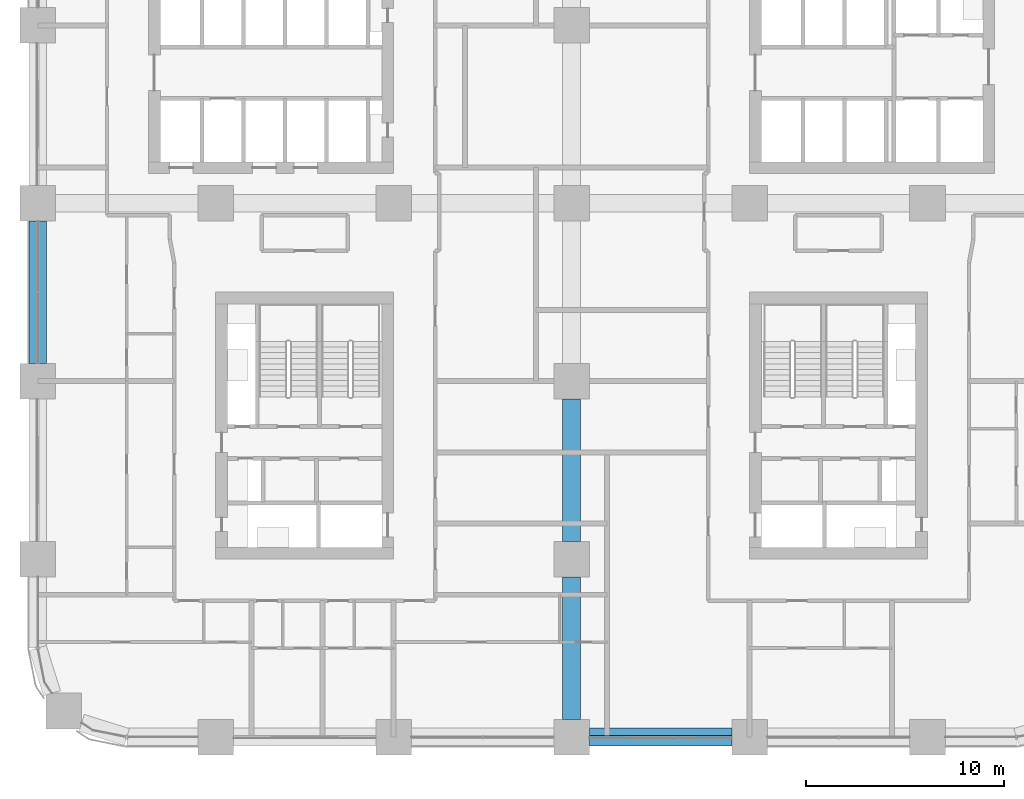
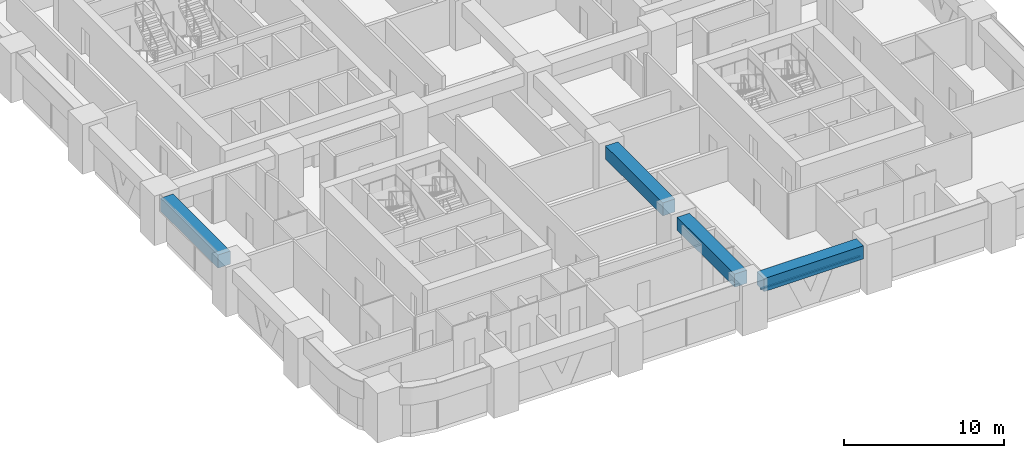
# One storey, part 3 of 21: 4 beams, 1 member, 1 element without a shape of its own.
"""IFC4 building model written with IfcOpenShell, lengths in metres."""

import ifcopenshell
import ifcopenshell.guid

model = None  # the IFC model being written
_history = None  # IfcOwnerHistory: only IFC2X3 demands one
_inside = {}  # id of a spatial element -> (the spatial element, [elements in it])
_under = {}  # id of a project, library or spatial element -> (it, [spatial elements below it])
_declared = {}  # id of a project -> (the project, [libraries it declares])
_typed = {}  # id of a type object -> (the type object, [elements of that type])
_made_of = {}  # id of a material, layer set ... -> (it, [elements and type objects made of it])


def new_model(schema):
    """Start an empty IFC model of exactly this schema.

    Asked for "IFC4X3", IfcOpenShell would pick the latest addendum, in which some entities
    have other attributes; the version numbers below select the first issue.
    IFC2X3 requires an IfcOwnerHistory on every rooted entity: one is made here for all.
    """
    global model, _history
    if schema == "IFC4X3":
        model = ifcopenshell.file(schema_version=(4, 3, 0, 0))
    else:
        model = ifcopenshell.file(schema=schema)
    _inside.clear()
    _under.clear()
    _declared.clear()
    _typed.clear()
    _made_of.clear()
    _history = None
    if model.schema == "IFC2X3":
        org = make("IfcOrganization", Name="unknown")
        user = make(
            "IfcPersonAndOrganization",
            ThePerson=make("IfcPerson", FamilyName="unknown"),
            TheOrganization=org,
        )
        app = make(
            "IfcApplication",
            ApplicationDeveloper=org,
            Version="unknown",
            ApplicationFullName="unknown",
            ApplicationIdentifier="unknown",
        )
        _history = make(
            "IfcOwnerHistory",
            OwningUser=user,
            OwningApplication=app,
            ChangeAction="ADDED",
            CreationDate=0,
        )
    return model


def make(cls, **values):
    """One entity of the class cls with the attributes given. An attribute that is None is left unset."""
    return model.create_entity(
        cls, **{name: value for name, value in values.items() if value is not None}
    )


def rooted(cls, **values):
    """An entity with a GlobalId (a new one), such as an element, a storey or a relation."""
    return make(cls, GlobalId=ifcopenshell.guid.new(), OwnerHistory=_history, **values)


def si_unit(unit_type, name, prefix=None):
    """IfcSIUnit, for example si_unit("LENGTHUNIT", "METRE", prefix="MILLI")."""
    return make("IfcSIUnit", UnitType=unit_type, Prefix=prefix, Name=name)


def assignment(units):
    """IfcUnitAssignment: the units of a project."""
    return None if units is None else make("IfcUnitAssignment", Units=units)


def point(xyz):
    """IfcCartesianPoint."""
    return None if xyz is None else make("IfcCartesianPoint", Coordinates=xyz)


def direction(xyz):
    """IfcDirection."""
    return None if xyz is None else make("IfcDirection", DirectionRatios=xyz)


def frame(location, z_axis=None, x_axis=None):
    """IfcAxis2Placement3D, a coordinate frame: its origin and axes. An axis left out is left unset."""
    return make(
        "IfcAxis2Placement3D",
        Location=point(location),
        Axis=direction(z_axis),
        RefDirection=direction(x_axis),
    )


def frame_2d(location, x_axis=None):
    """IfcAxis2Placement2D, a coordinate frame in the plane: its origin and x axis."""
    return make(
        "IfcAxis2Placement2D", Location=point(location), RefDirection=direction(x_axis)
    )


def origin():
    """The frame at (0, 0, 0) with its axes left unset."""
    return frame((0.0, 0.0, 0.0))


def origin_2d():
    """The frame at (0, 0) in the plane with its x axis left unset."""
    return frame_2d((0.0, 0.0))


def place(relative_to, where):
    """IfcLocalPlacement: puts the frame where relative to a parent placement (None: the world)."""
    return make(
        "IfcLocalPlacement", PlacementRelTo=relative_to, RelativePlacement=where
    )


def context(
    kind, dimensions, precision=None, world=None, true_north=None, identifier=None
):
    """IfcGeometricRepresentationContext, for example the 3D "Model" context."""
    return make(
        "IfcGeometricRepresentationContext",
        ContextIdentifier=identifier,
        ContextType=kind,
        CoordinateSpaceDimension=dimensions,
        Precision=precision,
        WorldCoordinateSystem=world,
        TrueNorth=true_north,
    )


def subcontext(parent, identifier, kind, view, scale=None):
    """IfcGeometricRepresentationSubContext, for example "Body" below "Model"."""
    return make(
        "IfcGeometricRepresentationSubContext",
        ContextIdentifier=identifier,
        ContextType=kind,
        ParentContext=parent,
        TargetScale=scale,
        TargetView=view,
    )


def project(units=None, contexts=None):
    """IfcProject with its units and contexts."""
    return rooted(
        "IfcProject",
        Name="project",
        RepresentationContexts=contexts,
        UnitsInContext=assignment(units),
    )


def spatial(cls, under=None, at=None, **own):
    """A site, building, storey or space (cls), placed at a placement, below another one or the project."""
    s = rooted(cls, ObjectPlacement=at, **own)
    if under is not None:
        _under.setdefault(under.id(), (under, []))[1].append(s)
    return s


def profile(cls, at=None, kind="AREA", **sizes):
    """A parametric profile (cls). Its sizes go by their IFC names, for example OverallWidth=200.0."""
    return make(cls, ProfileType=kind, Position=at, **sizes)


def rectangle(**sizes):
    """IfcRectangleProfileDef."""
    return profile("IfcRectangleProfileDef", **sizes)


def extrude(swept, where, along, depth):
    """IfcExtrudedAreaSolid: the profile swept, set in the frame where, extruded along a direction by depth."""
    return make(
        "IfcExtrudedAreaSolid",
        SweptArea=swept,
        Position=where,
        ExtrudedDirection=direction(along),
        Depth=depth,
    )


def shape(context_of_items, identifier, shape_type, items):
    """IfcShapeRepresentation: the items that make up one representation, for example the "Body"."""
    return make(
        "IfcShapeRepresentation",
        ContextOfItems=context_of_items,
        RepresentationIdentifier=identifier,
        RepresentationType=shape_type,
        Items=items,
    )


def material(Name=None, Category=None):
    """IfcMaterial."""
    return make("IfcMaterial", Name=Name, Category=Category)


def material_profile(
    of_material, cross_section, Name=None, Category=None, Priority=None
):
    """IfcMaterialProfile: a cross section and its material."""
    return make(
        "IfcMaterialProfile",
        Name=Name,
        Material=of_material,
        Profile=cross_section,
        Priority=Priority,
        Category=Category,
    )


def profile_set(profiles, Name=None, composite=None):
    """IfcMaterialProfileSet."""
    return make(
        "IfcMaterialProfileSet",
        Name=Name,
        MaterialProfiles=profiles,
        CompositeProfile=composite,
    )


def made_of(thing, what):
    """Note that an element or type object is made of a material, layer set ...; save() writes the relation."""
    if what is not None:
        _made_of.setdefault(what.id(), (what, []))[1].append(thing)
    return thing


def type_object(cls, material=None, **own):
    """A type object (cls), such as IfcWallType, which elements share."""
    return made_of(rooted(cls, **own), material)


def element(
    cls,
    number,
    at=None,
    inside=None,
    cuts=None,
    type_object=None,
    material=None,
    context=None,
    identifier="Body",
    shape_type=None,
    held_by="IfcProductDefinitionShape",
    body=None,
    shapes=None,
    **own,
):
    """One element of the class cls, such as IfcWall. Its Tag is "e" and its number.

    at: its placement. inside: the storey or other place that contains it. cuts: it is an
    opening in that element (IfcRelVoidsElement). A single representation is given by context,
    identifier, shape_type and body (its items); several are given by shapes. held_by: the class
    of the entity that holds the representations. save() writes the other relations.
    """
    e = rooted(cls, Tag="e%d" % number, ObjectPlacement=at, **own)
    if body is not None:
        shapes = [shape(context, identifier, shape_type, body)]
    if shapes is not None:
        e.Representation = make(held_by, Representations=shapes)
    if inside is not None:
        _inside.setdefault(inside.id(), (inside, []))[1].append(e)
    if cuts is not None:
        rooted(
            "IfcRelVoidsElement", RelatingBuildingElement=cuts, RelatedOpeningElement=e
        )
    if type_object is not None:
        _typed.setdefault(type_object.id(), (type_object, []))[1].append(e)
    return made_of(e, material)


def aggregate(whole, parts):
    """IfcRelAggregates: a whole, such as a stair, and the parts it consists of."""
    return rooted("IfcRelAggregates", RelatingObject=whole, RelatedObjects=parts)


def save(model, path):
    """Write the relations noted so far, then the file.

    IfcRelAggregates (storeys below a building ...), IfcRelContainedInSpatialStructure (elements
    in a storey), IfcRelDefinesByType, IfcRelAssociatesMaterial and IfcRelDeclares: one each for
    every whole, place, type object, material and project.
    """
    for whole, parts in _under.values():
        aggregate(whole, parts)
    for where, things in _inside.values():
        rooted(
            "IfcRelContainedInSpatialStructure",
            RelatedElements=things,
            RelatingStructure=where,
        )
    for kind, things in _typed.values():
        rooted("IfcRelDefinesByType", RelatedObjects=things, RelatingType=kind)
    for what, things in _made_of.values():
        rooted("IfcRelAssociatesMaterial", RelatedObjects=things, RelatingMaterial=what)
    for by, libraries in _declared.values():
        rooted("IfcRelDeclares", RelatingContext=by, RelatedDefinitions=libraries)
    model.write(path)


model = new_model("IFC4")

# Units and contexts
model_context = context("Model", 3, precision=1e-05, world=origin(), true_north=direction((0.0, 1.0)))
body_context = subcontext(model_context, "Body", "Model", "MODEL_VIEW")
ifc_project = project(units=[si_unit("LENGTHUNIT", "METRE"), si_unit("AREAUNIT", "SQUARE_METRE"), si_unit("VOLUMEUNIT", "CUBIC_METRE"), si_unit("PLANEANGLEUNIT", "RADIAN"), si_unit("MASSUNIT", "GRAM", prefix="KILO")], contexts=[model_context])

# Site, building, storey
site_placement = place(None, origin())
site = spatial("IfcSite", under=ifc_project, at=site_placement, CompositionType="ELEMENT")
building_placement = place(site_placement, origin())
building = spatial("IfcBuilding", under=site, at=building_placement, Name="Tessera Arch", CompositionType="ELEMENT")
storey_placement = place(building_placement, frame((0.0, 0.0, 69.0)))
storey = spatial("IfcBuildingStorey", under=building, at=storey_placement, Name="L15", CompositionType="ELEMENT", Elevation=69.0)

# Curtain wall, member
ifc_material_1 = material(Name="CW3 curtain wall")
curtain_wall_type = type_object("IfcCurtainWallType", Name="CW3 curtain wall", PredefinedType="NOTDEFINED", material=ifc_material_1)
curtain_wall_placement = place(storey_placement, origin())
curtain_wall = element("IfcCurtainWall", 1, at=curtain_wall_placement, inside=storey, type_object=curtain_wall_type, Name="CW3 curtain wall S0.0/2 L15", PredefinedType="NOTDEFINED")
ifc_material_2 = material(Name="Anodised aluminium pale metal", Category="aluminium")
ifc_material_profile_1 = material_profile(ifc_material_2, rectangle(XDim=0.139892578125, YDim=0.10009765625, at=origin_2d()), Name="AL 140x100")
ifc_profile_set_1 = profile_set([ifc_material_profile_1], Name="Anodised aluminium pale metal")
member_type = type_object("IfcMemberType", Name="CW3 transom", PredefinedType="USERDEFINED", material=ifc_profile_set_1)
member_placement = place(storey_placement, frame((27.89990234375, 0.0, 2.449951171875), z_axis=(1.0, 0.0, 0.0), x_axis=(0.0, 1.0, 0.0)))
member = element("IfcMember", 2, at=member_placement, type_object=member_type, Name="CW3 transom S0.0/2 1.1", ObjectType="TRANSOM", PredefinedType="USERDEFINED", context=body_context, shape_type="SweptSolid", body=[
    extrude(rectangle(XDim=0.139892578125, YDim=0.10009765625, at=origin_2d()), origin(), (0.0, 0.0, 1.0), 7.2001953125),
])
aggregate(curtain_wall, [member])

# Beams
ifc_material_3 = material(Name="Concrete C80/95", Category="concrete")
ifc_material_profile_2 = material_profile(ifc_material_3, rectangle(XDim=0.89990234375, YDim=1.0, at=origin_2d()), Name="RC spandrel beam 900 x 1000 Concrete C80/95")
ifc_profile_set_2 = profile_set([ifc_material_profile_2], Name="Concrete C80/95")
beam_type = type_object("IfcBeamType", Name="RC spandrel beam 900 x 1000 Concrete C80/95", PredefinedType="BEAM", material=ifc_profile_set_2)
for number, where, z_axis, x_axis, name in (
    (3, (27.89990234375, 0.0, 3.0), (1.0, 0.0, 0.0), (0.0, 1.0, 0.0), "Spandrel beam L15 S0.0/2"),
    (4, (0.0, 26.10009765625, 3.0), (0.0, -1.0, 0.0), (1.0, 0.0, 0.0), "Spandrel beam L15 W0.0/3"),
    (5, (27.0, 0.89990234375, 3.0), (0.0, 1.0, 0.0), (-1.0, 0.0, 0.0), "Interface beam L15 I0C4A-C4B"),
    (6, (27.0, 9.89990234375, 3.0), (0.0, 1.0, 0.0), (-1.0, 0.0, 0.0), "Interface beam L15 I0C4B-C4C"),
):
    element("IfcBeam", number, at=place(storey_placement, frame(where, z_axis=z_axis, x_axis=x_axis)), inside=storey, type_object=beam_type, Name=name, PredefinedType="BEAM", context=body_context, shape_type="SweptSolid", body=[
        extrude(rectangle(XDim=0.89990234375, YDim=1.0, at=origin_2d()), origin(), (0.0, 0.0, 1.0), 7.2001953125),
    ])

save(model, "model.ifc")
